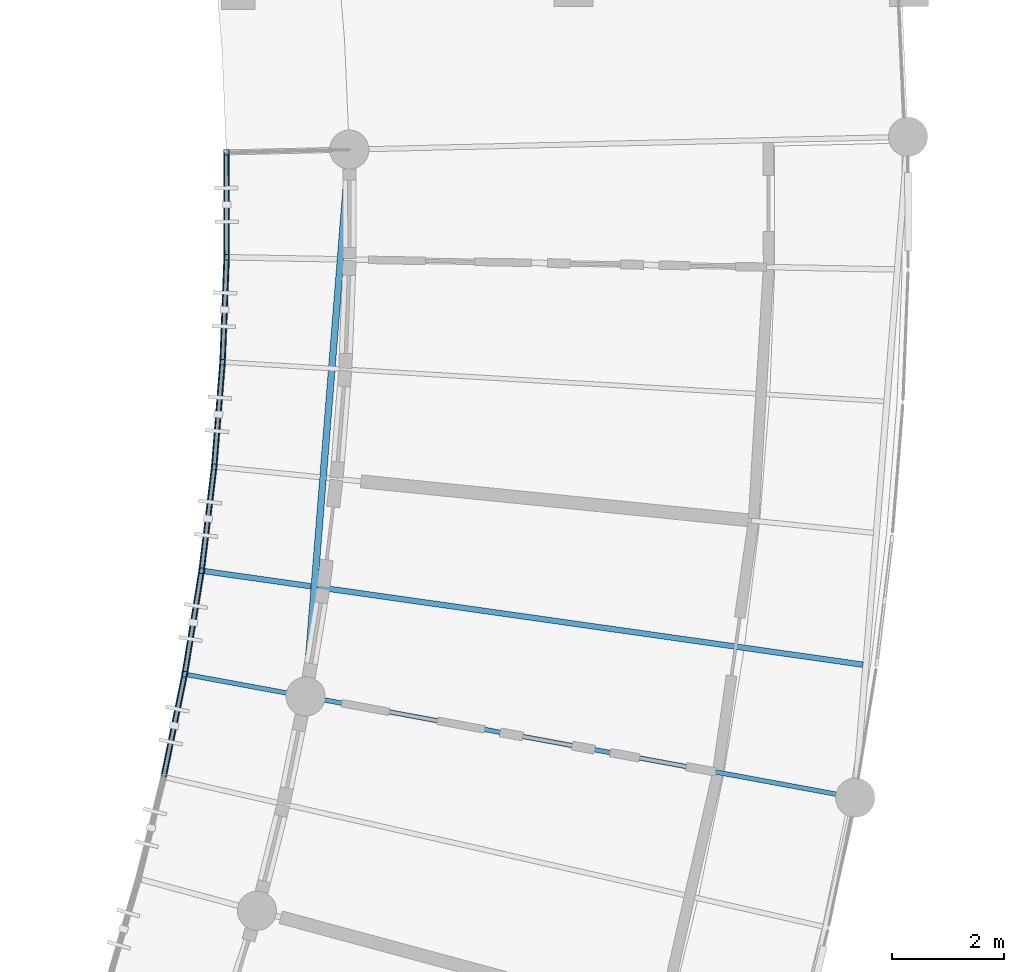
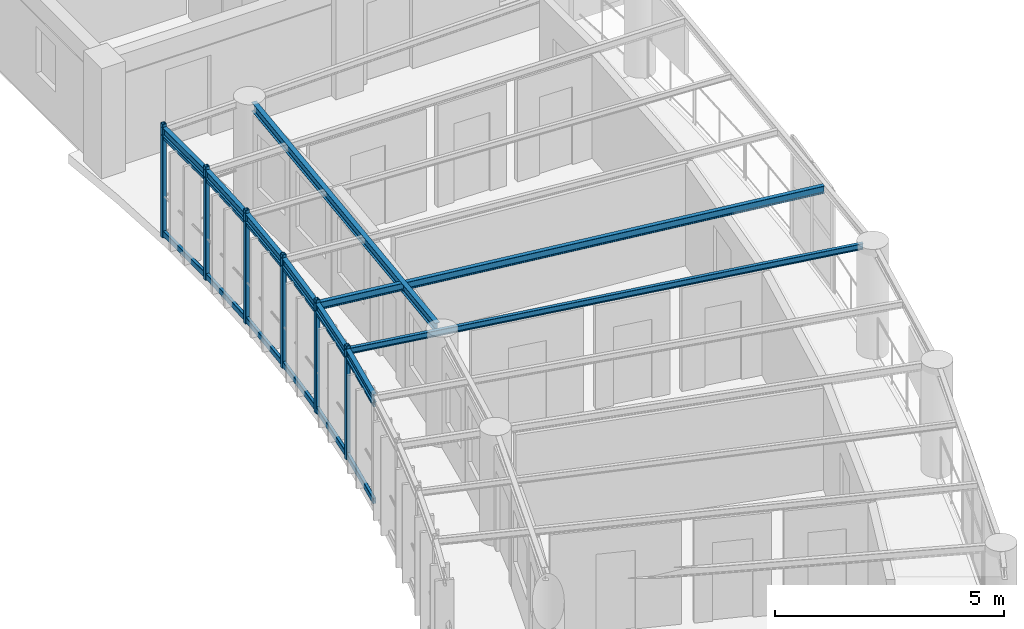
# One storey, part 39 of 137: 18 members, 9 beams.
"""IFC4 building model written with IfcOpenShell, lengths in metres."""

from ifc_helpers import new_model, si_unit, direction, frame, origin, origin_2d, place, context, subcontext, project, spatial, hollow_rectangle, i_section, extrude, material, material_profile, profile_set, type_object, element, save


model = new_model("IFC4")

# Units and contexts
model_context = context("Model", 3, precision=1e-05, world=origin(), true_north=direction((0.0, 1.0)))
body_context = subcontext(model_context, "Body", "Model", "MODEL_VIEW")
ifc_project = project(units=[si_unit("LENGTHUNIT", "METRE"), si_unit("AREAUNIT", "SQUARE_METRE"), si_unit("VOLUMEUNIT", "CUBIC_METRE"), si_unit("PLANEANGLEUNIT", "RADIAN"), si_unit("MASSUNIT", "GRAM", prefix="KILO"), si_unit("POWERUNIT", "WATT"), si_unit("THERMODYNAMICTEMPERATUREUNIT", "KELVIN")], contexts=[model_context])

# Site, building, storey
site_placement = place(None, origin())
site = spatial("IfcSite", under=ifc_project, at=site_placement, CompositionType="ELEMENT")
building_placement = place(site_placement, origin())
building = spatial("IfcBuilding", under=site, at=building_placement, Name="Ruvembo Vaulted Housing Court", CompositionType="ELEMENT")
storey_placement = place(building_placement, frame((0.0, 0.0, 4.5)))
storey = spatial("IfcBuildingStorey", under=building, at=storey_placement, Name="L01", CompositionType="ELEMENT", Elevation=4.5)

# Beams
ifc_material = material(Name="Steel S355J2", Category="steel")
ifc_material_profile_1 = material_profile(ifc_material, i_section(OverallWidth=0.08203125, OverallDepth=0.159912109375, WebThickness=0.0048828125, FlangeThickness=0.00732421875, FilletRadius=0.009033203125, at=origin_2d()), Name="IPE 160")
ifc_profile_set_1 = profile_set([ifc_material_profile_1], Name="Steel S355J2")
beam_type_1 = type_object("IfcBeamType", Name="BM-ST-IPE160", PredefinedType="JOIST", material=ifc_profile_set_1)
beam_1_placement = place(storey_placement, frame((58.814697265625, 63.537109375, 2.860107421875), z_axis=(-0.983464433081, 0.181101377311, 0.0), x_axis=(-0.181101377311, -0.983464433081, 0.0)))
element("IfcBeam", 1, at=beam_1_placement, inside=storey, type_object=beam_type_1, Name="Scoop SC1 L01 Radial Steel Joist 14", PredefinedType="JOIST", context=body_context, shape_type="SweptSolid", body=[
    extrude(i_section(OverallWidth=0.08203125, OverallDepth=0.159912109375, WebThickness=0.0048828125, FlangeThickness=0.00732421875, FilletRadius=0.009033203125, at=origin_2d()), origin(), (0.0, 0.0, 1.0), 12.010009765625),
])
ifc_material_profile_2 = material_profile(ifc_material, i_section(OverallWidth=0.10009765625, OverallDepth=0.199951171875, WebThickness=0.005615234375, FlangeThickness=0.008544921875, FilletRadius=0.011962890625, at=origin_2d()), Name="IPE 200")
ifc_profile_set_2 = profile_set([ifc_material_profile_2], Name="Steel S355J2")
beam_type_2 = type_object("IfcBeamType", Name="BM-ST-IPE200", PredefinedType="BEAM", material=ifc_profile_set_2)
beam_2_placement = place(storey_placement, frame((59.180908203125, 65.875244140625, 2.840087890625), z_axis=(-0.990057887054, 0.140660514296, 0.0), x_axis=(-0.140660514296, -0.990057887054, 0.0)))
element("IfcBeam", 2, at=beam_2_placement, inside=storey, type_object=beam_type_2, Name="Scoop SC1 L01 Radial Steel Joist 15", PredefinedType="BEAM", context=body_context, shape_type="SweptSolid", body=[
    extrude(i_section(OverallWidth=0.10009765625, OverallDepth=0.199951171875, WebThickness=0.005615234375, FlangeThickness=0.008544921875, FilletRadius=0.011962890625, at=origin_2d()), origin(), (0.0, 0.0, 1.0), 11.9951171875),
])
ifc_material_profile_3 = material_profile(ifc_material, i_section(OverallWidth=0.110107421875, OverallDepth=0.219970703125, WebThickness=0.005859375, FlangeThickness=0.00927734375, FilletRadius=0.011962890625, at=origin_2d()), Name="IPE 220")
ifc_profile_set_3 = profile_set([ifc_material_profile_3], Name="Steel S355J2")
beam_type_3 = type_object("IfcBeamType", Name="BM-ST-IPE220", PredefinedType="SPANDREL", material=ifc_profile_set_3)
for number, where, z_axis, x_axis, name in (
    (3, (46.664794921875, 63.86669921875, 2.830078125), (0.20126745828, 0.979536324103, 0.0), (-0.979536324103, 0.20126745828, 0.0), "Scoop SC1 L01 Balcony Edge Spandrel 13"),
    (4, (47.04248046875, 65.704833984375, 2.830078125), (0.16093792822, 0.98696452989, 0.0), (-0.98696452989, 0.16093792822, 0.0), "Scoop SC1 L01 Balcony Edge Spandrel 14"),
):
    element("IfcBeam", number, at=place(storey_placement, frame(where, z_axis=z_axis, x_axis=x_axis)), inside=storey, type_object=beam_type_3, Name=name, PredefinedType="SPANDREL", context=body_context, shape_type="SweptSolid", body=[
        extrude(i_section(OverallWidth=0.110107421875, OverallDepth=0.219970703125, WebThickness=0.005859375, FlangeThickness=0.00927734375, FilletRadius=0.011962890625, at=origin_2d()), origin(), (0.0, 0.0, 1.0), 1.87646484375),
    ])
for number, where, z_axis, x_axis, name in (
    (5, (47.344482421875, 67.556884765625, 2.830078125), (0.120335252624, 0.992733311104, 0.0), (-0.992733311104, 0.120335252624, 0.0), "Scoop SC1 L01 Balcony Edge Spandrel 15"),
    (6, (47.5703125, 69.419921875, 2.830078125), (0.079610795565, 0.996826023552, 0.0), (-0.996826023552, 0.079610795565, 0.0), "Scoop SC1 L01 Balcony Edge Spandrel 16"),
    (7, (47.7197265625, 71.290771484375, 2.830078125), (0.038767865725, 0.999248243725, 0.0), (-0.999248243725, 0.038767865725, 0.0), "Scoop SC1 L01 Balcony Edge Spandrel 17"),
):
    element("IfcBeam", number, at=place(storey_placement, frame(where, z_axis=z_axis, x_axis=x_axis)), inside=storey, type_object=beam_type_3, Name=name, PredefinedType="SPANDREL", context=body_context, shape_type="SweptSolid", body=[
        extrude(i_section(OverallWidth=0.110107421875, OverallDepth=0.219970703125, WebThickness=0.005859375, FlangeThickness=0.00927734375, FilletRadius=0.011962890625, at=origin_2d()), origin(), (0.0, 0.0, 1.0), 1.876708984375),
    ])
beam_3_placement = place(storey_placement, frame((47.79248046875, 73.166015625, 2.830078125), z_axis=(-0.002341913952, 0.999997257716, 0.0), x_axis=(-0.999997257716, -0.002341913952, 0.0)))
element("IfcBeam", 8, at=beam_3_placement, inside=storey, type_object=beam_type_3, Name="Scoop SC1 L01 Balcony Edge Spandrel 18", PredefinedType="SPANDREL", context=body_context, shape_type="SweptSolid", body=[
    extrude(i_section(OverallWidth=0.110107421875, OverallDepth=0.219970703125, WebThickness=0.005859375, FlangeThickness=0.00927734375, FilletRadius=0.011962890625, at=origin_2d()), origin(), (0.0, 0.0, 1.0), 1.87646484375),
])
ifc_material_profile_4 = material_profile(ifc_material, i_section(OverallWidth=0.1201171875, OverallDepth=0.239990234375, WebThickness=0.006103515625, FlangeThickness=0.009765625, FilletRadius=0.014892578125, at=origin_2d()), Name="IPE 240")
ifc_profile_set_4 = profile_set([ifc_material_profile_4], Name="Steel S355J2")
beam_type_4 = type_object("IfcBeamType", Name="BM-ST-IPE240", PredefinedType="BEAM", material=ifc_profile_set_4)
beam_4_placement = place(storey_placement, frame((49.224609375, 65.53564453125, 2.822021484375), z_axis=(0.079577227317, 0.996828703887, 0.0), x_axis=(-0.996828703887, 0.079577227317, 0.0)))
element("IfcBeam", 9, at=beam_4_placement, inside=storey, type_object=beam_type_4, Name="Scoop SC1 L01 Chord Girder F14", PredefinedType="BEAM", context=body_context, shape_type="SweptSolid", body=[
    extrude(i_section(OverallWidth=0.1201171875, OverallDepth=0.239990234375, WebThickness=0.006103515625, FlangeThickness=0.009765625, FilletRadius=0.014892578125, at=origin_2d()), origin(), (0.0, 0.0, 1.0), 9.357421875),
])

# Members
ifc_material_profile_5 = material_profile(ifc_material, hollow_rectangle(XDim=0.06005859375, YDim=0.1201171875, WallThickness=0.0048828125, InnerFilletRadius=0.0048828125, OuterFilletRadius=0.010009765625, at=origin_2d()), Name="RHS 120x60x5")
ifc_profile_set_5 = profile_set([ifc_material_profile_5], Name="Steel S355J2")
member_type_1 = type_object("IfcMemberType", Name="MEM-CAR-RHS120", PredefinedType="CHORD", material=ifc_profile_set_5)
for number, where, z_axis, x_axis, name in (
    (10, (46.664794921875, 63.86669921875, 2.6630859375), (0.20126745828, 0.979536324103, 0.0), (-0.979536324103, 0.20126745828, 0.0), "Scoop SC1 L01 Upper Louvre Carrier Rail 13"),
    (11, (47.04248046875, 65.704833984375, 2.6630859375), (0.16093792822, 0.98696452989, 0.0), (-0.98696452989, 0.16093792822, 0.0), "Scoop SC1 L01 Upper Louvre Carrier Rail 14"),
):
    element("IfcMember", number, at=place(storey_placement, frame(where, z_axis=z_axis, x_axis=x_axis)), inside=storey, type_object=member_type_1, Name=name, PredefinedType="CHORD", context=body_context, shape_type="SweptSolid", body=[
        extrude(hollow_rectangle(XDim=0.06005859375, YDim=0.1201171875, WallThickness=0.0048828125, InnerFilletRadius=0.0048828125, OuterFilletRadius=0.010009765625, at=origin_2d()), origin(), (0.0, 0.0, 1.0), 1.87646484375),
    ])
for number, where, z_axis, x_axis, name in (
    (12, (47.344482421875, 67.556884765625, 2.6630859375), (0.120335252624, 0.992733311104, 0.0), (-0.992733311104, 0.120335252624, 0.0), "Scoop SC1 L01 Upper Louvre Carrier Rail 15"),
    (13, (47.5703125, 69.419921875, 2.6630859375), (0.079610795565, 0.996826023552, 0.0), (-0.996826023552, 0.079610795565, 0.0), "Scoop SC1 L01 Upper Louvre Carrier Rail 16"),
    (14, (47.7197265625, 71.290771484375, 2.6630859375), (0.038767865725, 0.999248243725, 0.0), (-0.999248243725, 0.038767865725, 0.0), "Scoop SC1 L01 Upper Louvre Carrier Rail 17"),
):
    element("IfcMember", number, at=place(storey_placement, frame(where, z_axis=z_axis, x_axis=x_axis)), inside=storey, type_object=member_type_1, Name=name, PredefinedType="CHORD", context=body_context, shape_type="SweptSolid", body=[
        extrude(hollow_rectangle(XDim=0.06005859375, YDim=0.1201171875, WallThickness=0.0048828125, InnerFilletRadius=0.0048828125, OuterFilletRadius=0.010009765625, at=origin_2d()), origin(), (0.0, 0.0, 1.0), 1.876708984375),
    ])
member_1_placement = place(storey_placement, frame((47.79248046875, 73.166015625, 2.6630859375), z_axis=(-0.002341913952, 0.999997257716, 0.0), x_axis=(-0.999997257716, -0.002341913952, 0.0)))
element("IfcMember", 15, at=member_1_placement, inside=storey, type_object=member_type_1, Name="Scoop SC1 L01 Upper Louvre Carrier Rail 18", PredefinedType="CHORD", context=body_context, shape_type="SweptSolid", body=[
    extrude(hollow_rectangle(XDim=0.06005859375, YDim=0.1201171875, WallThickness=0.0048828125, InnerFilletRadius=0.0048828125, OuterFilletRadius=0.010009765625, at=origin_2d()), origin(), (0.0, 0.0, 1.0), 1.87646484375),
])
ifc_material_profile_6 = material_profile(ifc_material, hollow_rectangle(XDim=0.080078125, YDim=0.14990234375, WallThickness=0.00634765625, InnerFilletRadius=0.00634765625, OuterFilletRadius=0.0126953125, at=origin_2d()), Name="RHS 150x80x6.3")
ifc_profile_set_6 = profile_set([ifc_material_profile_6], Name="Steel S355J2")
member_type_2 = type_object("IfcMemberType", Name="MEM-CAR-RHS150", PredefinedType="CHORD", material=ifc_profile_set_6)
for number, where, z_axis, x_axis, name in (
    (16, (46.664794921875, 63.86669921875, 0.094970703125), (0.20126745828, 0.979536324103, 0.0), (-0.979536324103, 0.20126745828, 0.0), "Scoop SC1 L01 Lower Louvre Carrier Rail 13"),
    (17, (47.04248046875, 65.704833984375, 0.094970703125), (0.16093792822, 0.98696452989, 0.0), (-0.98696452989, 0.16093792822, 0.0), "Scoop SC1 L01 Lower Louvre Carrier Rail 14"),
):
    element("IfcMember", number, at=place(storey_placement, frame(where, z_axis=z_axis, x_axis=x_axis)), inside=storey, type_object=member_type_2, Name=name, PredefinedType="CHORD", context=body_context, shape_type="SweptSolid", body=[
        extrude(hollow_rectangle(XDim=0.080078125, YDim=0.14990234375, WallThickness=0.00634765625, InnerFilletRadius=0.00634765625, OuterFilletRadius=0.0126953125, at=origin_2d()), origin(), (0.0, 0.0, 1.0), 1.87646484375),
    ])
for number, where, z_axis, x_axis, name in (
    (18, (47.344482421875, 67.556884765625, 0.094970703125), (0.120335252624, 0.992733311104, 0.0), (-0.992733311104, 0.120335252624, 0.0), "Scoop SC1 L01 Lower Louvre Carrier Rail 15"),
    (19, (47.5703125, 69.419921875, 0.094970703125), (0.079610795565, 0.996826023552, 0.0), (-0.996826023552, 0.079610795565, 0.0), "Scoop SC1 L01 Lower Louvre Carrier Rail 16"),
    (20, (47.7197265625, 71.290771484375, 0.094970703125), (0.038767865725, 0.999248243725, 0.0), (-0.999248243725, 0.038767865725, 0.0), "Scoop SC1 L01 Lower Louvre Carrier Rail 17"),
):
    element("IfcMember", number, at=place(storey_placement, frame(where, z_axis=z_axis, x_axis=x_axis)), inside=storey, type_object=member_type_2, Name=name, PredefinedType="CHORD", context=body_context, shape_type="SweptSolid", body=[
        extrude(hollow_rectangle(XDim=0.080078125, YDim=0.14990234375, WallThickness=0.00634765625, InnerFilletRadius=0.00634765625, OuterFilletRadius=0.0126953125, at=origin_2d()), origin(), (0.0, 0.0, 1.0), 1.876708984375),
    ])
member_2_placement = place(storey_placement, frame((47.79248046875, 73.166015625, 0.094970703125), z_axis=(-0.002341913952, 0.999997257716, 0.0), x_axis=(-0.999997257716, -0.002341913952, 0.0)))
element("IfcMember", 21, at=member_2_placement, inside=storey, type_object=member_type_2, Name="Scoop SC1 L01 Lower Louvre Carrier Rail 18", PredefinedType="CHORD", context=body_context, shape_type="SweptSolid", body=[
    extrude(hollow_rectangle(XDim=0.080078125, YDim=0.14990234375, WallThickness=0.00634765625, InnerFilletRadius=0.00634765625, OuterFilletRadius=0.0126953125, at=origin_2d()), origin(), (0.0, 0.0, 1.0), 1.87646484375),
])
ifc_material_profile_7 = material_profile(ifc_material, hollow_rectangle(XDim=0.10009765625, YDim=0.10009765625, WallThickness=0.00634765625, InnerFilletRadius=0.00634765625, OuterFilletRadius=0.0126953125, at=origin_2d()), Name="SHS 100x100x6.3")
ifc_profile_set_7 = profile_set([ifc_material_profile_7], Name="Steel S355J2")
member_type_3 = type_object("IfcMemberType", Name="MEM-FRM-SHS100", PredefinedType="STRUT", material=ifc_profile_set_7)
for number, where, z_axis, x_axis, name in (
    (22, (47.04248046875, 65.704833984375, -0.014892578125), (0.0, 0.0, 1.0), (1.0, 0.0, 0.0), "Scoop SC1 L01 Louvre Frame Post 14"),
    (23, (47.344482421875, 67.556884765625, -0.014892578125), (0.0, 0.0, 1.0), (1.0, 0.0, 0.0), "Scoop SC1 L01 Louvre Frame Post 15"),
    (24, (47.5703125, 69.419921875, -0.014892578125), (0.0, 0.0, 1.0), (1.0, 0.0, 0.0), "Scoop SC1 L01 Louvre Frame Post 16"),
    (25, (47.7197265625, 71.290771484375, -0.014892578125), (0.0, 0.0, 1.0), (1.0, 0.0, 0.0), "Scoop SC1 L01 Louvre Frame Post 17"),
    (26, (47.79248046875, 73.166015625, -0.014892578125), (0.0, 0.0, 1.0), (1.0, 0.0, 0.0), "Scoop SC1 L01 Louvre Frame Post 18"),
    (27, (47.7880859375, 75.04248046875, -0.014892578125), (0.0, 0.0, 1.0), (1.0, 0.0, 0.0), "Scoop SC1 L01 Louvre End Post"),
):
    element("IfcMember", number, at=place(storey_placement, frame(where, z_axis=z_axis, x_axis=x_axis)), inside=storey, type_object=member_type_3, Name=name, PredefinedType="STRUT", context=body_context, shape_type="SweptSolid", body=[
        extrude(hollow_rectangle(XDim=0.10009765625, YDim=0.10009765625, WallThickness=0.00634765625, InnerFilletRadius=0.00634765625, OuterFilletRadius=0.0126953125, at=origin_2d()), origin(), (0.0, 0.0, 1.0), 3.032958984375),
    ])

save(model, "model.ifc")
